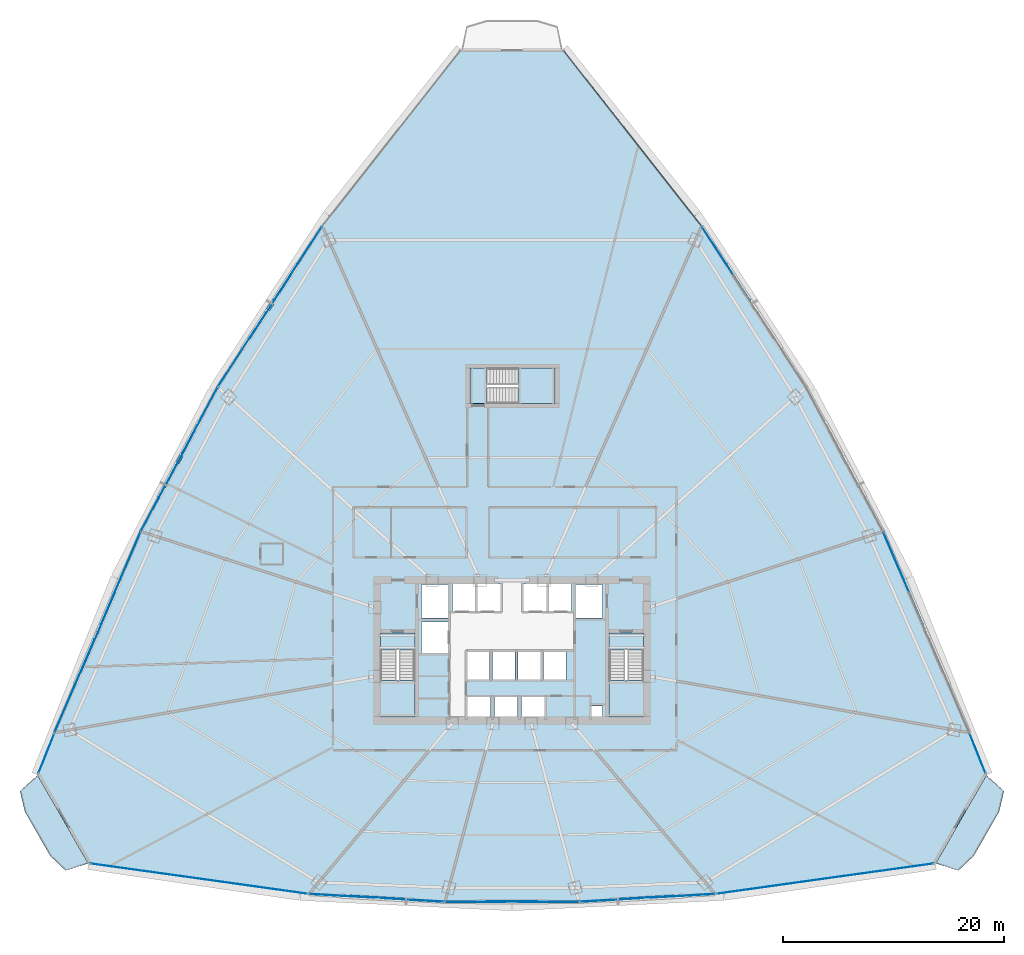
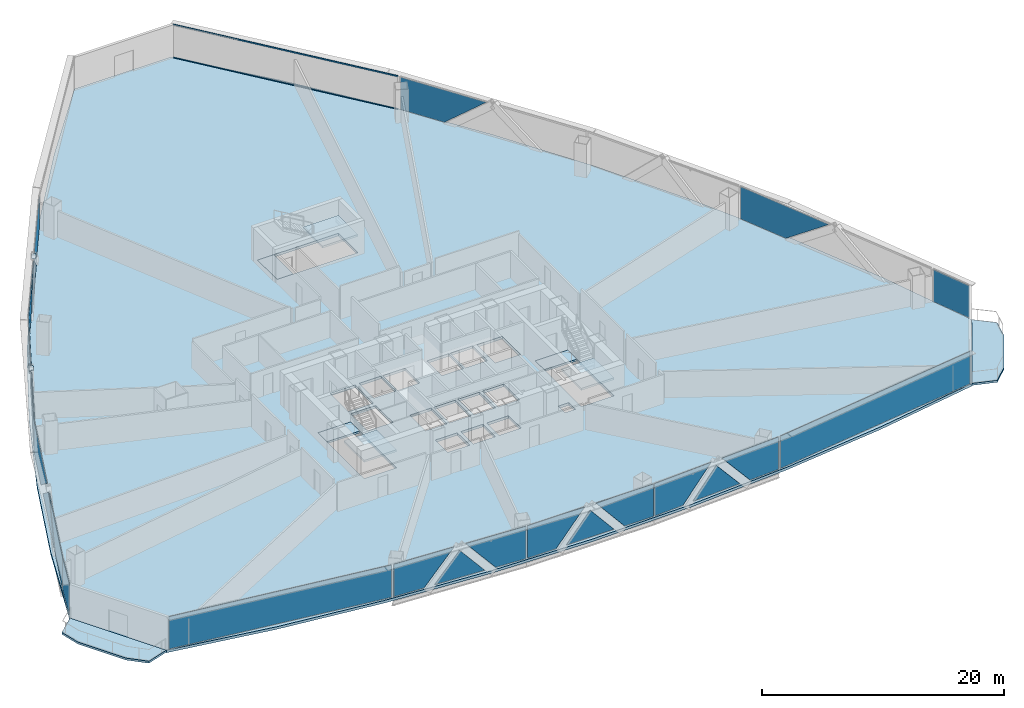
# One storey, part 27 of 37: 26 plates, 9 slabs, 2 members, 16 elements without a shape of their own.
"""IFC4 building model written with IfcOpenShell, lengths in metres."""

from ifc_helpers import new_model, si_unit, direction, frame, origin, origin_2d, place, context, subcontext, project, spatial, polyline, rectangle, hollow_rectangle, outline, extrude, source, transform, mapped, material, layer, layer_set, material_profile, profile_set, type_object, element, aggregate, save


model = new_model("IFC4")

# Units and contexts
model_context = context("Model", 3, precision=1e-05, world=origin(), true_north=direction((0.0, 1.0)))
body_context = subcontext(model_context, "Body", "Model", "MODEL_VIEW")
ifc_project = project(units=[si_unit("LENGTHUNIT", "METRE"), si_unit("AREAUNIT", "SQUARE_METRE"), si_unit("VOLUMEUNIT", "CUBIC_METRE"), si_unit("PLANEANGLEUNIT", "RADIAN"), si_unit("MASSUNIT", "GRAM", prefix="KILO"), si_unit("THERMODYNAMICTEMPERATUREUNIT", "KELVIN"), si_unit("POWERUNIT", "WATT")], contexts=[model_context])

# Site, building, storey
site_placement = place(None, origin())
site = spatial("IfcSite", under=ifc_project, at=site_placement, CompositionType="ELEMENT")
building_placement = place(site_placement, origin())
building = spatial("IfcBuilding", under=site, at=building_placement, Name="Yunzhuo Pagoda Commons", CompositionType="ELEMENT")
storey_placement = place(building_placement, frame((0.0, 0.0, 52.179931640625)))
storey = spatial("IfcBuildingStorey", under=building, at=storey_placement, Name="L13", CompositionType="ELEMENT", Elevation=52.179931640625)

# Curtain wall, members
ifc_material_1 = material(Name="Anodized aluminium 6063-T6", Category="aluminium")
ifc_layer_1 = layer(ifc_material_1, 0.1650390625)
ifc_layer_set_1 = layer_set([ifc_layer_1], Name="Anodized aluminium 6063-T6")
curtain_wall_type = type_object("IfcCurtainWallType", Name="CW-LOW Low-Zone Ribbon Curtain Wall", PredefinedType="NOTDEFINED", material=ifc_layer_set_1)
curtain_wall_1_placement = place(storey_placement, origin())
curtain_wall_1 = element("IfcCurtainWall", 1, at=curtain_wall_1_placement, inside=storey, type_object=curtain_wall_type, Name="L13 curtain wall CW-L13-F2B5", PredefinedType="NOTDEFINED")
ifc_material_profile = material_profile(ifc_material_1, hollow_rectangle(XDim=0.06005859375, YDim=0.139892578125, WallThickness=0.00341796875, at=origin_2d()), Name="Anodized aluminium 6063-T6")
ifc_profile_set = profile_set([ifc_material_profile], Name="Anodized aluminium 6063-T6")
member_type = type_object("IfcMemberType", Name="CW-LOW-T Transom RHS 140x60x3.5", PredefinedType="USERDEFINED", material=ifc_profile_set)
shared_shape_1 = source(origin(), body_context, "Body", "SweptSolid", [
    extrude(hollow_rectangle(XDim=0.06005859375, YDim=0.139892578125, WallThickness=0.00341796875, at=origin_2d()), origin(), (0.0, 0.0, 1.0), 20.00244140625),
])
member_1_placement = place(storey_placement, frame((65.085205078125, 72.378173828125, 0.030029296875), z_axis=(-0.618272093207, 0.785964133254, 0.0), x_axis=(-0.785964133254, -0.618272093207, 0.0)))
member_1 = element("IfcMember", 2, at=member_1_placement, type_object=member_type, Name="CW transom 1.1", ObjectType="TRANSOM", PredefinedType="USERDEFINED", context=body_context, shape_type="MappedRepresentation", body=[
    mapped(shared_shape_1, transform((0.0, 0.0, 0.0), scale=1.0)),
])
member_2_placement = place(storey_placement, frame((65.085205078125, 72.378173828125, 3.34033203125), z_axis=(-0.618272093207, 0.785964133254, 0.0), x_axis=(-0.785964133254, -0.618272093207, 0.0)))
member_2 = element("IfcMember", 3, at=member_2_placement, type_object=member_type, Name="CW transom 1.2", ObjectType="TRANSOM", PredefinedType="USERDEFINED", context=body_context, shape_type="MappedRepresentation", body=[
    mapped(shared_shape_1, transform((0.0, 0.0, 0.0), scale=1.0)),
])
aggregate(curtain_wall_1, [member_1, member_2])

# Curtain wall, plates
curtain_wall_2_placement = place(storey_placement, origin())
curtain_wall_2 = element("IfcCurtainWall", 4, at=curtain_wall_2_placement, inside=storey, type_object=curtain_wall_type, Name="L13 curtain wall CW-L13-F1B2", PredefinedType="NOTDEFINED")
ifc_material_2 = material(Name="Tempered low-e double glazing", Category="glass")
ifc_layer_2 = layer(ifc_material_2, 0.028076171875)
ifc_layer_set_2 = layer_set([ifc_layer_2], Name="Tempered low-e double glazing")
plate_type_1 = type_object("IfcPlateType", Name="CW-LOW-P Low-E Double Glazing 28", PredefinedType="CURTAIN_PANEL", material=ifc_layer_set_2)
plate_1_placement = place(storey_placement, frame((32.452392578125, 11.636474609375, 1.68505859375), z_axis=(-0.057664069997, -0.998336043139, 0.0), x_axis=(0.998336043139, -0.057664069997, 0.0)))
plate_1 = element("IfcPlate", 5, at=plate_1_placement, type_object=plate_type_1, Name="CW panel 1.1 lite 1", PredefinedType="CURTAIN_PANEL", context=body_context, shape_type="SweptSolid", body=[
    extrude(outline(polyline([(-2.779052734375, -1.625), (0.015625, -1.625), (2.779052734375, 1.625), (-2.779052734375, 1.625), (-2.779052734375, -1.625)])), origin(), (0.0, 0.0, 1.0), 0.028076171875),
])
plate_2_placement = place(storey_placement, frame((35.77734375, 11.474365234375, 1.421875), z_axis=(-0.057664069997, -0.998336043139, 0.0), x_axis=(0.998336043139, -0.057664069997, 0.0)))
plate_2 = element("IfcPlate", 6, at=plate_2_placement, type_object=plate_type_1, Name="CW panel 1.1 lite 2", PredefinedType="CURTAIN_PANEL", context=body_context, shape_type="SweptSolid", body=[
    extrude(outline(polyline([(-2.3154296875, -1.36181640625), (2.3154296875, -1.36181640625), (0.0, 1.36181640625), (-2.3154296875, -1.36181640625)])), origin(), (0.0, 0.0, 1.0), 0.028076171875),
])
plate_3_placement = place(storey_placement, frame((39.098876953125, 11.25244140625, 1.68505859375), z_axis=(-0.057664069997, -0.998336043139, 0.0), x_axis=(0.998336043139, -0.057664069997, 0.0)))
plate_3 = element("IfcPlate", 7, at=plate_3_placement, type_object=plate_type_1, Name="CW panel 1.1 lite 3", PredefinedType="CURTAIN_PANEL", context=body_context, shape_type="SweptSolid", body=[
    extrude(outline(polyline([(-2.779052734375, 1.625), (-0.015625, -1.625), (2.779052734375, -1.625), (2.779052734375, 1.625), (-2.779052734375, 1.625)])), origin(), (0.0, 0.0, 1.0), 0.028076171875),
])
aggregate(curtain_wall_2, [plate_1, plate_2, plate_3])

curtain_wall_3_placement = place(storey_placement, origin())
curtain_wall_3 = element("IfcCurtainWall", 8, at=curtain_wall_3_placement, inside=storey, type_object=curtain_wall_type, Name="L13 curtain wall CW-L13-F1B3", PredefinedType="NOTDEFINED")
plate_4_placement = place(storey_placement, frame((44.728759765625, 11.0888671875, 1.68505859375), z_axis=(0.0, -1.0, 0.0), x_axis=(1.0, 0.0, 0.0)))
plate_4 = element("IfcPlate", 9, at=plate_4_placement, type_object=plate_type_1, Name="CW panel 1.1 lite 1", PredefinedType="CURTAIN_PANEL", context=body_context, shape_type="SweptSolid", body=[
    extrude(outline(polyline([(-2.72607421875, -1.625), (0.01220703125, -1.625), (2.726318359375, 1.625), (-2.72607421875, 1.625), (-2.72607421875, -1.625)])), origin(), (0.0, 0.0, 1.0), 0.028076171875),
])
plate_5_placement = place(storey_placement, frame((48.0, 11.11865234375, 1.418701171875), z_axis=(0.0, -1.0, 0.0), x_axis=(1.0, 0.0, 0.0)))
plate_5 = element("IfcPlate", 10, at=plate_5_placement, type_object=plate_type_1, Name="CW panel 1.1 lite 2", PredefinedType="CURTAIN_PANEL", context=body_context, shape_type="SweptSolid", body=[
    extrude(outline(polyline([(-2.268798828125, -1.358642578125), (2.268798828125, -1.358642578125), (0.0, 1.3583984375), (-2.268798828125, -1.358642578125)])), origin(), (0.0, 0.0, 1.0), 0.028076171875),
])
plate_6_placement = place(storey_placement, frame((51.271240234375, 11.0888671875, 1.68505859375), z_axis=(0.0, -1.0, 0.0), x_axis=(1.0, 0.0, 0.0)))
plate_6 = element("IfcPlate", 11, at=plate_6_placement, type_object=plate_type_1, Name="CW panel 1.1 lite 3", PredefinedType="CURTAIN_PANEL", context=body_context, shape_type="SweptSolid", body=[
    extrude(outline(polyline([(-2.726318359375, 1.625), (-0.01220703125, -1.625), (2.72607421875, -1.625), (2.72607421875, 1.625), (-2.726318359375, 1.625)])), origin(), (0.0, 0.0, 1.0), 0.028076171875),
])
aggregate(curtain_wall_3, [plate_4, plate_5, plate_6])

curtain_wall_4_placement = place(storey_placement, origin())
curtain_wall_4 = element("IfcCurtainWall", 12, at=curtain_wall_4_placement, inside=storey, type_object=curtain_wall_type, Name="L13 curtain wall CW-L13-F1B4", PredefinedType="NOTDEFINED")
plate_7_placement = place(storey_placement, frame((56.901123046875, 11.25244140625, 1.68505859375), z_axis=(0.057664069997, -0.998336043139, 0.0), x_axis=(0.998336043139, 0.057664069997, 0.0)))
plate_7 = element("IfcPlate", 13, at=plate_7_placement, type_object=plate_type_1, Name="CW panel 1.1 lite 1", PredefinedType="CURTAIN_PANEL", context=body_context, shape_type="SweptSolid", body=[
    extrude(outline(polyline([(-2.779052734375, -1.625), (0.015625, -1.625), (2.779052734375, 1.625), (-2.779052734375, 1.625), (-2.779052734375, -1.625)])), origin(), (0.0, 0.0, 1.0), 0.028076171875),
])
plate_8_placement = place(storey_placement, frame((60.22265625, 11.474365234375, 1.421875), z_axis=(0.057664069997, -0.998336043139, 0.0), x_axis=(0.998336043139, 0.057664069997, 0.0)))
plate_8 = element("IfcPlate", 14, at=plate_8_placement, type_object=plate_type_1, Name="CW panel 1.1 lite 2", PredefinedType="CURTAIN_PANEL", context=body_context, shape_type="SweptSolid", body=[
    extrude(outline(polyline([(-2.3154296875, -1.36181640625), (2.3154296875, -1.36181640625), (0.0, 1.36181640625), (-2.3154296875, -1.36181640625)])), origin(), (0.0, 0.0, 1.0), 0.028076171875),
])
plate_9_placement = place(storey_placement, frame((63.547607421875, 11.636474609375, 1.68505859375), z_axis=(0.057664069997, -0.998336043139, 0.0), x_axis=(0.998336043139, 0.057664069997, 0.0)))
plate_9 = element("IfcPlate", 15, at=plate_9_placement, type_object=plate_type_1, Name="CW panel 1.1 lite 3", PredefinedType="CURTAIN_PANEL", context=body_context, shape_type="SweptSolid", body=[
    extrude(outline(polyline([(-2.779052734375, 1.625), (-0.015869140625, -1.625), (2.779052734375, -1.625), (2.779052734375, 1.625), (-2.779052734375, 1.625)])), origin(), (0.0, 0.0, 1.0), 0.028076171875),
])
aggregate(curtain_wall_4, [plate_7, plate_8, plate_9])

# Curtain wall, plate
curtain_wall_5_placement = place(storey_placement, origin())
curtain_wall_5 = element("IfcCurtainWall", 16, at=curtain_wall_5_placement, inside=storey, type_object=curtain_wall_type, Name="L13 curtain wall CW-L13-F2B2", PredefinedType="NOTDEFINED")
plate_10_placement = place(storey_placement, frame((83.414306640625, 40.360595703125, 1.68505859375), z_axis=(0.918993139703, 0.394273520769, 0.0), x_axis=(-0.394273520769, 0.918993139703, 0.0)))
plate_10 = element("IfcPlate", 17, at=plate_10_placement, type_object=plate_type_1, Name="CW panel 1.1 lite 3", PredefinedType="CURTAIN_PANEL", context=body_context, shape_type="SweptSolid", body=[
    extrude(outline(polyline([(-4.56201171875, 1.625), (-0.123779296875, -1.625), (4.56201171875, -1.625), (4.56201171875, 1.625), (-4.56201171875, 1.625)])), origin(), (0.0, 0.0, 1.0), 0.028076171875),
])
aggregate(curtain_wall_5, [plate_10])

curtain_wall_6_placement = place(storey_placement, origin())
curtain_wall_6 = element("IfcCurtainWall", 18, at=curtain_wall_6_placement, inside=storey, type_object=curtain_wall_type, Name="L13 curtain wall CW-L13-F2B4", PredefinedType="NOTDEFINED")
plate_11_placement = place(storey_placement, frame((67.36328125, 68.866455078125, 1.68505859375), z_axis=(0.838776712394, 0.544475552018, 0.0), x_axis=(-0.544475552018, 0.838776712394, 0.0)))
plate_11 = element("IfcPlate", 19, at=plate_11_placement, type_object=plate_type_1, Name="CW panel 1.1 lite 3", PredefinedType="CURTAIN_PANEL", context=body_context, shape_type="SweptSolid", body=[
    extrude(outline(polyline([(-3.981689453125, 1.625), (-0.090087890625, -1.625), (3.981689453125, -1.625), (3.981689453125, 1.625), (-3.981689453125, 1.625)])), origin(), (0.0, 0.0, 1.0), 0.028076171875),
])
aggregate(curtain_wall_6, [plate_11])

# Curtain wall, plates
curtain_wall_7_placement = place(storey_placement, origin())
curtain_wall_7 = element("IfcCurtainWall", 20, at=curtain_wall_7_placement, inside=storey, type_object=curtain_wall_type, Name="L13 curtain wall CW-L13-F3B2", PredefinedType="NOTDEFINED")
plate_12_placement = place(storey_placement, frame((28.63671875, 68.866455078125, 1.68505859375), z_axis=(-0.838776712394, 0.544475552018, 0.0), x_axis=(-0.544475552018, -0.838776712394, 0.0)))
plate_12 = element("IfcPlate", 21, at=plate_12_placement, type_object=plate_type_1, Name="CW panel 1.1 lite 1", PredefinedType="CURTAIN_PANEL", context=body_context, shape_type="SweptSolid", body=[
    extrude(outline(polyline([(-3.981689453125, -1.625), (0.090087890625, -1.625), (3.981689453125, 1.625), (-3.981689453125, 1.625), (-3.981689453125, -1.625)])), origin(), (0.0, 0.0, 1.0), 0.028076171875),
])
plate_13_placement = place(storey_placement, frame((26.132080078125, 64.952880859375, 1.467529296875), z_axis=(-0.838776712394, 0.544475552018, 0.0), x_axis=(-0.544475552018, -0.838776712394, 0.0)))
plate_13 = element("IfcPlate", 22, at=plate_13_placement, type_object=plate_type_1, Name="CW panel 1.1 lite 2", PredefinedType="CURTAIN_PANEL", context=body_context, shape_type="SweptSolid", body=[
    extrude(outline(polyline([(-3.37060546875, -1.407470703125), (3.37060546875, -1.407470703125), (0.0, 1.407470703125), (-3.37060546875, -1.407470703125)])), origin(), (0.0, 0.0, 1.0), 0.028076171875),
])
plate_14_placement = place(storey_placement, frame((23.576904296875, 61.07177734375, 1.68505859375), z_axis=(-0.838776712394, 0.544475552018, 0.0), x_axis=(-0.544475552018, -0.838776712394, 0.0)))
plate_14 = element("IfcPlate", 23, at=plate_14_placement, type_object=plate_type_1, Name="CW panel 1.1 lite 3", PredefinedType="CURTAIN_PANEL", context=body_context, shape_type="SweptSolid", body=[
    extrude(outline(polyline([(-3.981689453125, 1.625), (-0.090087890625, -1.625), (3.981689453125, -1.625), (3.981689453125, 1.625), (-3.981689453125, 1.625)])), origin(), (0.0, 0.0, 1.0), 0.028076171875),
])
aggregate(curtain_wall_7, [plate_12, plate_13, plate_14])

curtain_wall_8_placement = place(storey_placement, origin())
curtain_wall_8 = element("IfcCurtainWall", 24, at=curtain_wall_8_placement, inside=storey, type_object=curtain_wall_type, Name="L13 curtain wall CW-L13-F3B3", PredefinedType="NOTDEFINED")
plate_15_placement = place(storey_placement, frame((19.759765625, 54.649658203125, 1.68505859375), z_axis=(-0.882469570104, 0.470369490762, 0.0), x_axis=(-0.470369490762, -0.882469570104, 0.0)))
plate_15 = element("IfcPlate", 25, at=plate_15_placement, type_object=plate_type_1, Name="CW panel 1.1 lite 1", PredefinedType="CURTAIN_PANEL", context=body_context, shape_type="SweptSolid", body=[
    extrude(outline(polyline([(-3.3671875, -1.625), (0.052978515625, -1.625), (3.3671875, 1.625), (-3.3671875, 1.625), (-3.3671875, -1.625)])), origin(), (0.0, 0.0, 1.0), 0.028076171875),
])
plate_16_placement = place(storey_placement, frame((17.91845703125, 51.131103515625, 1.448974609375), z_axis=(-0.882469570104, 0.470369490762, 0.0), x_axis=(-0.470369490762, -0.882469570104, 0.0)))
plate_16 = element("IfcPlate", 26, at=plate_16_placement, type_object=plate_type_1, Name="CW panel 1.1 lite 2", PredefinedType="CURTAIN_PANEL", context=body_context, shape_type="SweptSolid", body=[
    extrude(outline(polyline([(-2.832763671875, -1.388916015625), (2.832763671875, -1.388916015625), (0.0, 1.388916015625), (-2.832763671875, -1.388916015625)])), origin(), (0.0, 0.0, 1.0), 0.028076171875),
])
plate_17_placement = place(storey_placement, frame((16.024169921875, 47.640625, 1.68505859375), z_axis=(-0.882469570104, 0.470369490762, 0.0), x_axis=(-0.470369490762, -0.882469570104, 0.0)))
plate_17 = element("IfcPlate", 27, at=plate_17_placement, type_object=plate_type_1, Name="CW panel 1.1 lite 3", PredefinedType="CURTAIN_PANEL", context=body_context, shape_type="SweptSolid", body=[
    extrude(outline(polyline([(-3.3671875, 1.625), (-0.052978515625, -1.625), (3.3671875, -1.625), (3.3671875, 1.625), (-3.3671875, 1.625)])), origin(), (0.0, 0.0, 1.0), 0.028076171875),
])
aggregate(curtain_wall_8, [plate_15, plate_16, plate_17])

curtain_wall_9_placement = place(storey_placement, origin())
curtain_wall_9 = element("IfcCurtainWall", 28, at=curtain_wall_9_placement, inside=storey, type_object=curtain_wall_type, Name="L13 curtain wall CW-L13-F3B4", PredefinedType="NOTDEFINED")
plate_18_placement = place(storey_placement, frame((12.585693359375, 40.360595703125, 1.68505859375), z_axis=(-0.918993139703, 0.394273520769, 0.0), x_axis=(-0.394273520769, -0.918993139703, 0.0)))
plate_18 = element("IfcPlate", 29, at=plate_18_placement, type_object=plate_type_1, Name="CW panel 1.1 lite 1", PredefinedType="CURTAIN_PANEL", context=body_context, shape_type="SweptSolid", body=[
    extrude(outline(polyline([(-4.56201171875, -1.625), (0.123779296875, -1.625), (4.56201171875, 1.625), (-4.56201171875, 1.625), (-4.56201171875, -1.625)])), origin(), (0.0, 0.0, 1.0), 0.028076171875),
])
plate_19_placement = place(storey_placement, frame((10.52880859375, 35.489990234375, 1.4794921875), z_axis=(-0.918993139703, 0.394273520769, 0.0), x_axis=(-0.394273520769, -0.918993139703, 0.0)))
plate_19 = element("IfcPlate", 30, at=plate_19_placement, type_object=plate_type_1, Name="CW panel 1.1 lite 2", PredefinedType="CURTAIN_PANEL", context=body_context, shape_type="SweptSolid", body=[
    extrude(outline(polyline([(-3.876953125, -1.41943359375), (3.876953125, -1.41943359375), (0.0, 1.41943359375), (-3.876953125, -1.41943359375)])), origin(), (0.0, 0.0, 1.0), 0.028076171875),
])
plate_20_placement = place(storey_placement, frame((8.416748046875, 30.642822265625, 1.68505859375), z_axis=(-0.918993139703, 0.394273520769, 0.0), x_axis=(-0.394273520769, -0.918993139703, 0.0)))
plate_20 = element("IfcPlate", 31, at=plate_20_placement, type_object=plate_type_1, Name="CW panel 1.1 lite 3", PredefinedType="CURTAIN_PANEL", context=body_context, shape_type="SweptSolid", body=[
    extrude(outline(polyline([(-4.56201171875, 1.625), (-0.123779296875, -1.625), (4.56201171875, -1.625), (4.56201171875, 1.625), (-4.56201171875, 1.625)])), origin(), (0.0, 0.0, 1.0), 0.028076171875),
])
aggregate(curtain_wall_9, [plate_18, plate_19, plate_20])

# Slabs
ifc_material_3 = material(Name="Concrete C40", Category="concrete")
ifc_layer_3 = layer(ifc_material_3, 0.199951171875)
ifc_layer_set_3 = layer_set([ifc_layer_3], Name="Concrete C40")
slab_type_1 = type_object("IfcSlabType", Name="SL-BAL Vertex Balcony Deck Slab 200", PredefinedType="FLOOR", material=ifc_layer_set_3)
slab_1_placement = place(storey_placement, frame((0.0, 0.0, -0.199951171875)))
element("IfcSlab", 32, at=slab_1_placement, inside=storey, type_object=slab_type_1, Name="L13 corner balcony V1", PredefinedType="FLOOR", context=body_context, shape_type="SweptSolid", body=[
    extrude(outline(polyline([(5.04150390625, 22.5439453125), (9.62451171875, 14.561767578125), (7.58349609375, 13.908935546875), (6.184814453125, 15.240234375), (3.893310546875, 19.2314453125), (3.448486328125, 21.110595703125), (5.04150390625, 22.5439453125)])), origin(), (0.0, 0.0, 1.0), 0.199951171875),
])
slab_2_placement = place(storey_placement, frame((0.0, 0.0, -0.199951171875)))
element("IfcSlab", 33, at=slab_2_placement, inside=storey, type_object=slab_type_1, Name="L13 corner balcony V2", PredefinedType="FLOOR", context=body_context, shape_type="SweptSolid", body=[
    extrude(outline(polyline([(86.37548828125, 14.561767578125), (90.95849609375, 22.5439453125), (92.551513671875, 21.110595703125), (92.106689453125, 19.2314453125), (89.815185546875, 15.240234375), (88.41650390625, 13.908935546875), (86.37548828125, 14.561767578125)])), origin(), (0.0, 0.0, 1.0), 0.199951171875),
])

# Stair, slabs
stair_type_1 = type_object("IfcStairType", Name="ST-C1 Core Smokeproof Stair ST1", PredefinedType="HALF_TURN_STAIR", material=ifc_material_3)
stair_1_placement = place(storey_placement, origin())
stair_1 = element("IfcStair", 34, at=stair_1_placement, inside=storey, type_object=stair_type_1, Name="L13 Core smokeproof stair ST1", PredefinedType="HALF_TURN_STAIR")
ifc_layer_4 = layer(ifc_material_3, 0.199951171875)
ifc_layer_set_4 = layer_set([ifc_layer_4], Name="Concrete C40")
slab_type_2 = type_object("IfcSlabType", Name="SL-LND1 Stair Landing Slab 200", PredefinedType="LANDING", material=ifc_layer_set_4)
slab_3_placement = place(storey_placement, frame((0.0, 0.0, 1.614990234375)))
slab_3 = element("IfcSlab", 35, at=slab_3_placement, type_object=slab_type_2, Name="ST1 landing 1", PredefinedType="LANDING", context=body_context, shape_type="SweptSolid", body=[
    extrude(outline(polyline([(36.10009765625, 31.10009765625), (36.10009765625, 27.800048828125), (39.199951171875, 27.800048828125), (39.199951171875, 31.10009765625), (36.10009765625, 31.10009765625)])), origin(), (0.0, 0.0, 1.0), 0.2001953125),
])
slab_4_placement = place(storey_placement, frame((0.0, 0.0, -0.199951171875)))
slab_4 = element("IfcSlab", 36, at=slab_4_placement, type_object=slab_type_2, Name="ST1 floor landing L13", PredefinedType="LANDING", context=body_context, shape_type="SweptSolid", body=[
    extrude(outline(polyline([(36.10009765625, 35.39990234375), (36.10009765625, 33.89990234375), (39.199951171875, 33.89990234375), (39.199951171875, 35.39990234375), (36.10009765625, 35.39990234375)])), origin(), (0.0, 0.0, 1.0), 0.199951171875),
])
aggregate(stair_1, [slab_3, slab_4])

stair_type_2 = type_object("IfcStairType", Name="ST-C2 Core Smokeproof Stair ST2", PredefinedType="HALF_TURN_STAIR", material=ifc_material_3)
stair_2_placement = place(storey_placement, origin())
stair_2 = element("IfcStair", 37, at=stair_2_placement, inside=storey, type_object=stair_type_2, Name="L13 Core smokeproof stair ST2", PredefinedType="HALF_TURN_STAIR")
ifc_layer_5 = layer(ifc_material_3, 0.201904296875)
ifc_layer_set_5 = layer_set([ifc_layer_5], Name="Concrete C40")
slab_type_3 = type_object("IfcSlabType", Name="SL-LND2 Stair Landing Slab 202", PredefinedType="LANDING", material=ifc_layer_set_5)
slab_5_placement = place(storey_placement, frame((0.0, 0.0, 1.614990234375)))
slab_5 = element("IfcSlab", 38, at=slab_5_placement, type_object=slab_type_3, Name="ST2 landing 1", PredefinedType="LANDING", context=body_context, shape_type="SweptSolid", body=[
    extrude(outline(polyline([(56.800048828125, 31.10009765625), (56.800048828125, 27.800048828125), (59.89990234375, 27.800048828125), (59.89990234375, 31.10009765625), (56.800048828125, 31.10009765625)])), origin(), (0.0, 0.0, 1.0), 0.2001953125),
])
slab_6_placement = place(storey_placement, frame((0.0, 0.0, -0.199951171875)))
slab_6 = element("IfcSlab", 39, at=slab_6_placement, type_object=slab_type_3, Name="ST2 floor landing L13", PredefinedType="LANDING", context=body_context, shape_type="SweptSolid", body=[
    extrude(outline(polyline([(56.800048828125, 35.39990234375), (56.800048828125, 33.89990234375), (59.89990234375, 33.89990234375), (59.89990234375, 35.39990234375), (56.800048828125, 35.39990234375)])), origin(), (0.0, 0.0, 1.0), 0.199951171875),
])
aggregate(stair_2, [slab_5, slab_6])

stair_type_3 = type_object("IfcStairType", Name="ST-C3 North Tower Smokeproof Stair ST3", PredefinedType="HALF_TURN_STAIR", material=ifc_material_3)
stair_3_placement = place(storey_placement, origin())
stair_3 = element("IfcStair", 40, at=stair_3_placement, inside=storey, type_object=stair_type_3, Name="L13 North tower smokeproof stair ST3", PredefinedType="HALF_TURN_STAIR")
ifc_layer_6 = layer(ifc_material_3, 0.2041015625)
ifc_layer_set_6 = layer_set([ifc_layer_6], Name="Concrete C40")
slab_type_4 = type_object("IfcSlabType", Name="SL-LND5 North Landing Slab 204", PredefinedType="LANDING", material=ifc_layer_set_6)
slab_7_placement = place(storey_placement, frame((0.0, 0.0, 1.614990234375)))
slab_7 = element("IfcSlab", 41, at=slab_7_placement, type_object=slab_type_4, Name="ST3 landing 1", PredefinedType="LANDING", context=body_context, shape_type="SweptSolid", body=[
    extrude(outline(polyline([(48.550048828125, 56.199951171875), (51.89990234375, 56.199951171875), (51.89990234375, 59.39990234375), (48.550048828125, 59.39990234375), (48.550048828125, 56.199951171875)])), origin(), (0.0, 0.0, 1.0), 0.2001953125),
])
slab_8_placement = place(storey_placement, frame((0.0, 0.0, -0.199951171875)))
slab_8 = element("IfcSlab", 42, at=slab_8_placement, type_object=slab_type_4, Name="ST3 floor landing L13", PredefinedType="LANDING", context=body_context, shape_type="SweptSolid", body=[
    extrude(outline(polyline([(44.199951171875, 56.199951171875), (45.75, 56.199951171875), (45.75, 59.39990234375), (44.199951171875, 59.39990234375), (44.199951171875, 56.199951171875)])), origin(), (0.0, 0.0, 1.0), 0.199951171875),
])
aggregate(stair_3, [slab_7, slab_8])

# Slab
ifc_layer_7 = layer(ifc_material_3, 0.260009765625)
ifc_layer_set_7 = layer_set([ifc_layer_7], Name="Concrete C40")
slab_type_5 = type_object("IfcSlabType", Name="SL-TWR Typical Tower Floor Slab 260", PredefinedType="FLOOR", material=ifc_layer_set_7)
slab_9_placement = place(storey_placement, frame((0.0, 0.0, -0.260009765625)))
element("IfcSlab", 43, at=slab_9_placement, inside=storey, type_object=slab_type_5, Name="L13 structural floor slab", PredefinedType="FLOOR", context=body_context, shape_type="SweptSolid", body=[
    extrude(outline(polyline([(8.43115234375, 31.5869140625), (12.219482421875, 40.391845703125), (16.411376953125, 48.961669921875), (21.006103515625, 57.2958984375), (26.004150390625, 65.39501953125), (31.4052734375, 73.2587890625), (37.20947265625, 80.88720703125), (43.4169921875, 88.280517578125), (52.5830078125, 88.280517578125), (58.79052734375, 80.88720703125), (64.5947265625, 73.2587890625), (69.995849609375, 65.39501953125), (74.993896484375, 57.2958984375), (79.588623046875, 48.961669921875), (83.780517578125, 40.391845703125), (87.56884765625, 31.5869140625), (90.954345703125, 22.54638671875), (86.37109375, 14.564208984375), (76.7783203125, 12.930419921875), (67.185546875, 11.763427734375), (57.5927734375, 11.063232421875), (48.0, 10.829833984375), (38.4072265625, 11.063232421875), (28.814453125, 11.763427734375), (19.2216796875, 12.930419921875), (9.62890625, 14.564208984375), (5.045654296875, 22.54638671875), (8.43115234375, 31.5869140625)]), holes=[polyline([(46.050048828125, 27.60009765625), (46.050048828125, 29.64990234375), (43.949951171875, 29.64990234375), (43.949951171875, 27.60009765625), (46.050048828125, 27.60009765625)]), polyline([(48.5, 27.60009765625), (48.5, 29.64990234375), (46.39990234375, 29.64990234375), (46.39990234375, 27.60009765625), (48.5, 27.60009765625)]), polyline([(36.10009765625, 27.800048828125), (39.199951171875, 27.800048828125), (39.199951171875, 35.39990234375), (36.10009765625, 35.39990234375), (36.10009765625, 27.800048828125)]), polyline([(45.969970703125, 31.199951171875), (45.969970703125, 33.800048828125), (43.929931640625, 33.800048828125), (43.929931640625, 31.199951171875), (45.969970703125, 31.199951171875)]), polyline([(48.27001953125, 31.199951171875), (48.27001953125, 33.800048828125), (46.22998046875, 33.800048828125), (46.22998046875, 31.199951171875), (48.27001953125, 31.199951171875)]), polyline([(42.199951171875, 33.60009765625), (42.199951171875, 36.39990234375), (39.800048828125, 36.39990234375), (39.800048828125, 33.60009765625), (42.199951171875, 33.60009765625)]), polyline([(42.199951171875, 36.800048828125), (42.199951171875, 39.800048828125), (39.800048828125, 39.800048828125), (39.800048828125, 36.800048828125), (42.199951171875, 36.800048828125)]), polyline([(42.60009765625, 37.39990234375), (44.699951171875, 37.39990234375), (44.699951171875, 39.85009765625), (42.60009765625, 39.85009765625), (42.60009765625, 37.39990234375)]), polyline([(44.85009765625, 37.39990234375), (46.949951171875, 37.39990234375), (46.949951171875, 39.85009765625), (44.85009765625, 39.85009765625), (44.85009765625, 37.39990234375)]), polyline([(56.179931640625, 27.699951171875), (56.179931640625, 28.800048828125), (55.179931640625, 28.800048828125), (55.179931640625, 27.699951171875), (56.179931640625, 27.699951171875)]), polyline([(50.949951171875, 27.60009765625), (50.949951171875, 29.64990234375), (48.85009765625, 29.64990234375), (48.85009765625, 27.60009765625), (50.949951171875, 27.60009765625)]), polyline([(56.800048828125, 27.800048828125), (59.89990234375, 27.800048828125), (59.89990234375, 35.39990234375), (56.800048828125, 35.39990234375), (56.800048828125, 27.800048828125)]), polyline([(50.570068359375, 31.199951171875), (50.570068359375, 33.800048828125), (48.530029296875, 33.800048828125), (48.530029296875, 31.199951171875), (50.570068359375, 31.199951171875)]), polyline([(52.8701171875, 31.199951171875), (52.8701171875, 33.800048828125), (50.830078125, 33.800048828125), (50.830078125, 31.199951171875), (52.8701171875, 31.199951171875)]), polyline([(56.199951171875, 36.800048828125), (56.199951171875, 39.800048828125), (53.800048828125, 39.800048828125), (53.800048828125, 36.800048828125), (56.199951171875, 36.800048828125)]), polyline([(51.14990234375, 37.39990234375), (51.14990234375, 39.85009765625), (49.050048828125, 39.85009765625), (49.050048828125, 37.39990234375), (51.14990234375, 37.39990234375)]), polyline([(51.300048828125, 37.39990234375), (53.39990234375, 37.39990234375), (53.39990234375, 39.85009765625), (51.300048828125, 39.85009765625), (51.300048828125, 37.39990234375)]), polyline([(44.199951171875, 56.199951171875), (51.89990234375, 56.199951171875), (51.89990234375, 59.39990234375), (44.199951171875, 59.39990234375), (44.199951171875, 56.199951171875)])]), origin(), (0.0, 0.0, 1.0), 0.260009765625),
])

# Plates
ifc_material_4 = material(Name="Structural steel Q355B", Category="steel")
ifc_layer_8 = layer(ifc_material_4, 0.028076171875)
ifc_layer_set_8 = layer_set([ifc_layer_8], Name="Structural steel Q355B")
plate_type_2 = type_object("IfcPlateType", Name="SP-ND1 Lattice Node Cap Plate 800x500x28", PredefinedType="USERDEFINED", material=ifc_layer_set_8)
shared_shape_2 = source(origin(), body_context, "Body", "SweptSolid", [
    extrude(rectangle(XDim=0.699951171875, YDim=0.35009765625, at=origin_2d()), origin(), (0.0, 0.0, 1.0), 0.035888671875),
])
for number, where, z_axis, x_axis, name in (
    (44, (26.09521484375, 64.976806640625, 3.33203125), (0.0, 0.0, 1.0), (-0.544478011788, -0.838775115677, 0.0), "L13 setback lattice tie plate F3.1L"),
    (45, (17.87939453125, 51.151611328125, 3.33203125), (0.0, 0.0, 1.0), (-0.470365121964, -0.882471898725, 0.0), "L13 setback lattice tie plate F3.2L"),
):
    element("IfcPlate", number, at=place(storey_placement, frame(where, z_axis=z_axis, x_axis=x_axis)), inside=storey, type_object=plate_type_2, Name=name, ObjectType="STIFFENER_PLATE", PredefinedType="USERDEFINED", context=body_context, shape_type="MappedRepresentation", body=[
        mapped(shared_shape_2, transform((0.0, 0.0, 0.0), scale=1.0)),
    ])

# Curtain wall, plate
curtain_wall_10_placement = place(storey_placement, origin())
curtain_wall_10 = element("IfcCurtainWall", 46, at=curtain_wall_10_placement, inside=storey, type_object=curtain_wall_type, Name="L13 curtain wall CW-L13-F1B1", PredefinedType="NOTDEFINED")
shared_shape_3 = source(origin(), body_context, "Body", "SweptSolid", [
    extrude(rectangle(XDim=19.809814453125, YDim=0.028076171875, at=origin_2d()), origin(), (0.0, 0.0, 1.0), 3.25),
])
plate_21_placement = place(storey_placement, frame((19.663330078125, 13.171630859375, 0.06005859375), z_axis=(0.0, 0.0, 1.0), x_axis=(0.990445462871, -0.13790498569, 0.0)))
plate_21 = element("IfcPlate", 47, at=plate_21_placement, type_object=plate_type_1, Name="CW panel 1.1", PredefinedType="CURTAIN_PANEL", context=body_context, shape_type="MappedRepresentation", body=[
    mapped(shared_shape_3, transform((0.0, 0.0, 0.0), scale=1.0)),
])
aggregate(curtain_wall_10, [plate_21])

curtain_wall_11_placement = place(storey_placement, origin())
curtain_wall_11 = element("IfcCurtainWall", 48, at=curtain_wall_11_placement, inside=storey, type_object=curtain_wall_type, Name="L13 curtain wall CW-L13-F1B5", PredefinedType="NOTDEFINED")
plate_22_placement = place(storey_placement, frame((76.336669921875, 13.171630859375, 0.06005859375), z_axis=(0.0, 0.0, 1.0), x_axis=(0.990445462871, 0.13790498569, 0.0)))
plate_22 = element("IfcPlate", 49, at=plate_22_placement, type_object=plate_type_1, Name="CW panel 1.1", PredefinedType="CURTAIN_PANEL", context=body_context, shape_type="MappedRepresentation", body=[
    mapped(shared_shape_3, transform((0.0, 0.0, 0.0), scale=1.0)),
])
aggregate(curtain_wall_11, [plate_22])

curtain_wall_12_placement = place(storey_placement, origin())
curtain_wall_12 = element("IfcCurtainWall", 50, at=curtain_wall_12_placement, inside=storey, type_object=curtain_wall_type, Name="L13 curtain wall CW-L13-F2B1", PredefinedType="NOTDEFINED")
shared_shape_4 = source(origin(), body_context, "Body", "SweptSolid", [
    extrude(rectangle(XDim=3.7783203125, YDim=0.028076171875, at=origin_2d()), origin(), (0.0, 0.0, 1.0), 3.25),
])
plate_23_placement = place(storey_placement, frame((90.16845703125, 24.510009765625, 0.06005859375), z_axis=(0.0, 0.0, 1.0), x_axis=(-0.368614284542, 0.929582438104, 0.0)))
plate_23 = element("IfcPlate", 51, at=plate_23_placement, type_object=plate_type_1, Name="CW panel 1.1", PredefinedType="CURTAIN_PANEL", context=body_context, shape_type="MappedRepresentation", body=[
    mapped(shared_shape_4, transform((0.0, 0.0, 0.0), scale=1.0)),
])
aggregate(curtain_wall_12, [plate_23])

curtain_wall_13_placement = place(storey_placement, origin())
curtain_wall_13 = element("IfcCurtainWall", 52, at=curtain_wall_13_placement, inside=storey, type_object=curtain_wall_type, Name="L13 curtain wall CW-L13-F3B5", PredefinedType="NOTDEFINED")
plate_24_placement = place(storey_placement, frame((5.83154296875, 24.510009765625, 0.06005859375), z_axis=(0.0, 0.0, 1.0), x_axis=(-0.368614284542, -0.929582438104, 0.0)))
plate_24 = element("IfcPlate", 53, at=plate_24_placement, type_object=plate_type_1, Name="CW panel 1.1", PredefinedType="CURTAIN_PANEL", context=body_context, shape_type="MappedRepresentation", body=[
    mapped(shared_shape_4, transform((0.0, 0.0, 0.0), scale=1.0)),
])
aggregate(curtain_wall_13, [plate_24])

save(model, "model.ifc")
